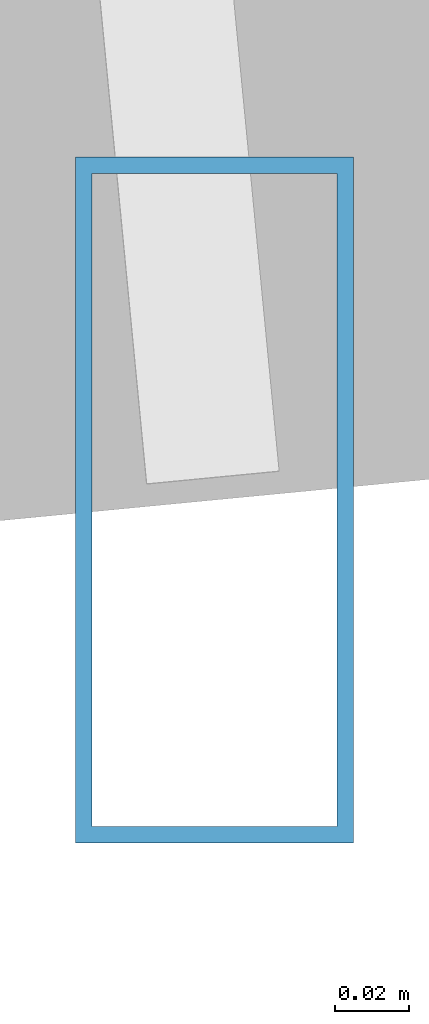
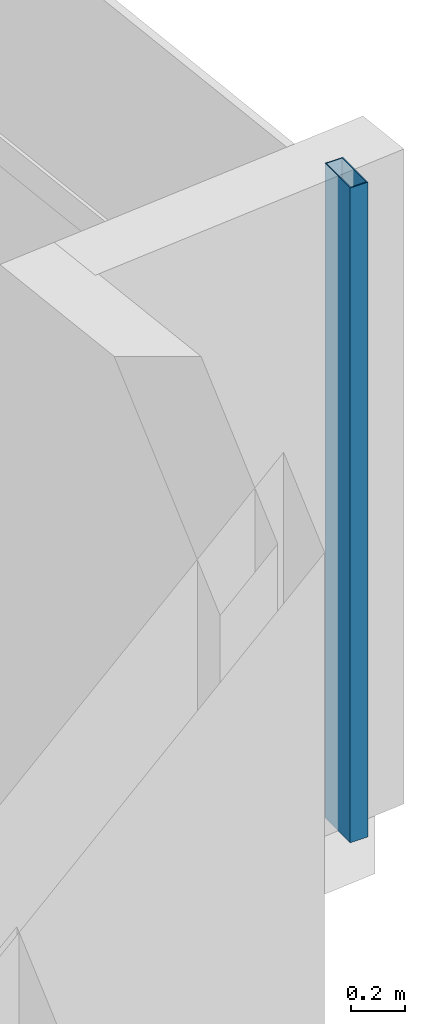
# One storey, part 14 of 27: 1 member, 1 element without a shape of its own.
"""IFC4 building model written with IfcOpenShell, lengths in metres."""

import ifcopenshell
import ifcopenshell.guid

model = None  # the IFC model being written
_history = None  # IfcOwnerHistory: only IFC2X3 demands one
_inside = {}  # id of a spatial element -> (the spatial element, [elements in it])
_under = {}  # id of a project, library or spatial element -> (it, [spatial elements below it])
_declared = {}  # id of a project -> (the project, [libraries it declares])
_typed = {}  # id of a type object -> (the type object, [elements of that type])
_made_of = {}  # id of a material, layer set ... -> (it, [elements and type objects made of it])


def new_model(schema):
    """Start an empty IFC model of exactly this schema.

    Asked for "IFC4X3", IfcOpenShell would pick the latest addendum, in which some entities
    have other attributes; the version numbers below select the first issue.
    IFC2X3 requires an IfcOwnerHistory on every rooted entity: one is made here for all.
    """
    global model, _history
    if schema == "IFC4X3":
        model = ifcopenshell.file(schema_version=(4, 3, 0, 0))
    else:
        model = ifcopenshell.file(schema=schema)
    _inside.clear()
    _under.clear()
    _declared.clear()
    _typed.clear()
    _made_of.clear()
    _history = None
    if model.schema == "IFC2X3":
        org = make("IfcOrganization", Name="unknown")
        user = make(
            "IfcPersonAndOrganization",
            ThePerson=make("IfcPerson", FamilyName="unknown"),
            TheOrganization=org,
        )
        app = make(
            "IfcApplication",
            ApplicationDeveloper=org,
            Version="unknown",
            ApplicationFullName="unknown",
            ApplicationIdentifier="unknown",
        )
        _history = make(
            "IfcOwnerHistory",
            OwningUser=user,
            OwningApplication=app,
            ChangeAction="ADDED",
            CreationDate=0,
        )
    return model


def make(cls, **values):
    """One entity of the class cls with the attributes given. An attribute that is None is left unset."""
    return model.create_entity(
        cls, **{name: value for name, value in values.items() if value is not None}
    )


def rooted(cls, **values):
    """An entity with a GlobalId (a new one), such as an element, a storey or a relation."""
    return make(cls, GlobalId=ifcopenshell.guid.new(), OwnerHistory=_history, **values)


def si_unit(unit_type, name, prefix=None):
    """IfcSIUnit, for example si_unit("LENGTHUNIT", "METRE", prefix="MILLI")."""
    return make("IfcSIUnit", UnitType=unit_type, Prefix=prefix, Name=name)


def assignment(units):
    """IfcUnitAssignment: the units of a project."""
    return None if units is None else make("IfcUnitAssignment", Units=units)


def point(xyz):
    """IfcCartesianPoint."""
    return None if xyz is None else make("IfcCartesianPoint", Coordinates=xyz)


def direction(xyz):
    """IfcDirection."""
    return None if xyz is None else make("IfcDirection", DirectionRatios=xyz)


def frame(location, z_axis=None, x_axis=None):
    """IfcAxis2Placement3D, a coordinate frame: its origin and axes. An axis left out is left unset."""
    return make(
        "IfcAxis2Placement3D",
        Location=point(location),
        Axis=direction(z_axis),
        RefDirection=direction(x_axis),
    )


def frame_2d(location, x_axis=None):
    """IfcAxis2Placement2D, a coordinate frame in the plane: its origin and x axis."""
    return make(
        "IfcAxis2Placement2D", Location=point(location), RefDirection=direction(x_axis)
    )


def origin():
    """The frame at (0, 0, 0) with its axes left unset."""
    return frame((0.0, 0.0, 0.0))


def origin_2d():
    """The frame at (0, 0) in the plane with its x axis left unset."""
    return frame_2d((0.0, 0.0))


def place(relative_to, where):
    """IfcLocalPlacement: puts the frame where relative to a parent placement (None: the world)."""
    return make(
        "IfcLocalPlacement", PlacementRelTo=relative_to, RelativePlacement=where
    )


def context(
    kind, dimensions, precision=None, world=None, true_north=None, identifier=None
):
    """IfcGeometricRepresentationContext, for example the 3D "Model" context."""
    return make(
        "IfcGeometricRepresentationContext",
        ContextIdentifier=identifier,
        ContextType=kind,
        CoordinateSpaceDimension=dimensions,
        Precision=precision,
        WorldCoordinateSystem=world,
        TrueNorth=true_north,
    )


def subcontext(parent, identifier, kind, view, scale=None):
    """IfcGeometricRepresentationSubContext, for example "Body" below "Model"."""
    return make(
        "IfcGeometricRepresentationSubContext",
        ContextIdentifier=identifier,
        ContextType=kind,
        ParentContext=parent,
        TargetScale=scale,
        TargetView=view,
    )


def project(units=None, contexts=None):
    """IfcProject with its units and contexts."""
    return rooted(
        "IfcProject",
        Name="project",
        RepresentationContexts=contexts,
        UnitsInContext=assignment(units),
    )


def spatial(cls, under=None, at=None, **own):
    """A site, building, storey or space (cls), placed at a placement, below another one or the project."""
    s = rooted(cls, ObjectPlacement=at, **own)
    if under is not None:
        _under.setdefault(under.id(), (under, []))[1].append(s)
    return s


def profile(cls, at=None, kind="AREA", **sizes):
    """A parametric profile (cls). Its sizes go by their IFC names, for example OverallWidth=200.0."""
    return make(cls, ProfileType=kind, Position=at, **sizes)


def hollow_rectangle(**sizes):
    """IfcRectangleHollowProfileDef."""
    return profile("IfcRectangleHollowProfileDef", **sizes)


def extrude(swept, where, along, depth):
    """IfcExtrudedAreaSolid: the profile swept, set in the frame where, extruded along a direction by depth."""
    return make(
        "IfcExtrudedAreaSolid",
        SweptArea=swept,
        Position=where,
        ExtrudedDirection=direction(along),
        Depth=depth,
    )


def shape(context_of_items, identifier, shape_type, items):
    """IfcShapeRepresentation: the items that make up one representation, for example the "Body"."""
    return make(
        "IfcShapeRepresentation",
        ContextOfItems=context_of_items,
        RepresentationIdentifier=identifier,
        RepresentationType=shape_type,
        Items=items,
    )


def source(mapping_origin, context_of_items, identifier, shape_type, items):
    """IfcRepresentationMap: a shape defined once, which mapped items show again and again."""
    return make(
        "IfcRepresentationMap",
        MappingOrigin=mapping_origin,
        MappedRepresentation=shape(context_of_items, identifier, shape_type, items),
    )


def transform(
    local_origin,
    x_axis=None,
    y_axis=None,
    z_axis=None,
    scale=None,
    scale2=None,
    scale3=None,
    uniform=True,
):
    """IfcCartesianTransformationOperator3D, or its non-uniform kind. x_axis, y_axis, z_axis: its Axis1, 2, 3."""
    if uniform:
        return make(
            "IfcCartesianTransformationOperator3D",
            Axis1=direction(x_axis),
            Axis2=direction(y_axis),
            LocalOrigin=point(local_origin),
            Scale=scale,
            Axis3=direction(z_axis),
        )
    return make(
        "IfcCartesianTransformationOperator3DnonUniform",
        Axis1=direction(x_axis),
        Axis2=direction(y_axis),
        LocalOrigin=point(local_origin),
        Scale=scale,
        Axis3=direction(z_axis),
        Scale2=scale2,
        Scale3=scale3,
    )


def mapped(mapping_source, mapping_target):
    """IfcMappedItem: shows the shape of a source again, moved by a transform."""
    return make(
        "IfcMappedItem", MappingSource=mapping_source, MappingTarget=mapping_target
    )


def material(Name=None, Category=None):
    """IfcMaterial."""
    return make("IfcMaterial", Name=Name, Category=Category)


def material_profile(
    of_material, cross_section, Name=None, Category=None, Priority=None
):
    """IfcMaterialProfile: a cross section and its material."""
    return make(
        "IfcMaterialProfile",
        Name=Name,
        Material=of_material,
        Profile=cross_section,
        Priority=Priority,
        Category=Category,
    )


def profile_set(profiles, Name=None, composite=None):
    """IfcMaterialProfileSet."""
    return make(
        "IfcMaterialProfileSet",
        Name=Name,
        MaterialProfiles=profiles,
        CompositeProfile=composite,
    )


def made_of(thing, what):
    """Note that an element or type object is made of a material, layer set ...; save() writes the relation."""
    if what is not None:
        _made_of.setdefault(what.id(), (what, []))[1].append(thing)
    return thing


def type_object(cls, material=None, **own):
    """A type object (cls), such as IfcWallType, which elements share."""
    return made_of(rooted(cls, **own), material)


def type_shapes(of_type, sources):
    """Give a type object the sources (RepresentationMaps) that its elements show as mapped items."""
    of_type.RepresentationMaps = sources


def element(
    cls,
    number,
    at=None,
    inside=None,
    cuts=None,
    type_object=None,
    material=None,
    context=None,
    identifier="Body",
    shape_type=None,
    held_by="IfcProductDefinitionShape",
    body=None,
    shapes=None,
    **own,
):
    """One element of the class cls, such as IfcWall. Its Tag is "e" and its number.

    at: its placement. inside: the storey or other place that contains it. cuts: it is an
    opening in that element (IfcRelVoidsElement). A single representation is given by context,
    identifier, shape_type and body (its items); several are given by shapes. held_by: the class
    of the entity that holds the representations. save() writes the other relations.
    """
    e = rooted(cls, Tag="e%d" % number, ObjectPlacement=at, **own)
    if body is not None:
        shapes = [shape(context, identifier, shape_type, body)]
    if shapes is not None:
        e.Representation = make(held_by, Representations=shapes)
    if inside is not None:
        _inside.setdefault(inside.id(), (inside, []))[1].append(e)
    if cuts is not None:
        rooted(
            "IfcRelVoidsElement", RelatingBuildingElement=cuts, RelatedOpeningElement=e
        )
    if type_object is not None:
        _typed.setdefault(type_object.id(), (type_object, []))[1].append(e)
    return made_of(e, material)


def aggregate(whole, parts):
    """IfcRelAggregates: a whole, such as a stair, and the parts it consists of."""
    return rooted("IfcRelAggregates", RelatingObject=whole, RelatedObjects=parts)


def save(model, path):
    """Write the relations noted so far, then the file.

    IfcRelAggregates (storeys below a building ...), IfcRelContainedInSpatialStructure (elements
    in a storey), IfcRelDefinesByType, IfcRelAssociatesMaterial and IfcRelDeclares: one each for
    every whole, place, type object, material and project.
    """
    for whole, parts in _under.values():
        aggregate(whole, parts)
    for where, things in _inside.values():
        rooted(
            "IfcRelContainedInSpatialStructure",
            RelatedElements=things,
            RelatingStructure=where,
        )
    for kind, things in _typed.values():
        rooted("IfcRelDefinesByType", RelatedObjects=things, RelatingType=kind)
    for what, things in _made_of.values():
        rooted("IfcRelAssociatesMaterial", RelatedObjects=things, RelatingMaterial=what)
    for by, libraries in _declared.values():
        rooted("IfcRelDeclares", RelatingContext=by, RelatedDefinitions=libraries)
    model.write(path)


model = new_model("IFC4")

# Units and contexts
model_context = context("Model", 3, precision=1e-05, world=origin(), true_north=direction((0.0, 1.0)))
body_context = subcontext(model_context, "Body", "Model", "MODEL_VIEW")
ifc_project = project(units=[si_unit("LENGTHUNIT", "METRE"), si_unit("AREAUNIT", "SQUARE_METRE"), si_unit("VOLUMEUNIT", "CUBIC_METRE"), si_unit("PLANEANGLEUNIT", "RADIAN"), si_unit("MASSUNIT", "GRAM", prefix="KILO")], contexts=[model_context])

# Site, building, storey
site_placement = place(None, origin())
site = spatial("IfcSite", under=ifc_project, at=site_placement, CompositionType="ELEMENT")
building_placement = place(site_placement, origin())
building = spatial("IfcBuilding", under=site, at=building_placement, Name="Astriad Promenade Condominiums", CompositionType="ELEMENT")
storey_placement = place(building_placement, frame((0.0, 0.0, 87.39990234375)))
storey = spatial("IfcBuildingStorey", under=building, at=storey_placement, Name="L24", CompositionType="ELEMENT", Elevation=87.39990234375)

# Curtain wall, member
ifc_material_1 = material(Name="Anodised aluminium Black Dark Glass Unitised", Category="aluminium")
curtain_wall_type = type_object("IfcCurtainWallType", Name="CW-B2-DARK", PredefinedType="USERDEFINED", material=ifc_material_1)
curtain_wall_placement = place(storey_placement, origin())
curtain_wall = element("IfcCurtainWall", 1, at=curtain_wall_placement, inside=storey, type_object=curtain_wall_type, Name="CW-L24-E", ObjectType="UNITISED_CURTAIN_WALL", PredefinedType="USERDEFINED")
ifc_material_2 = material(Name="Anodised aluminium 6063-T6 Black", Category="aluminium")
ifc_material_profile = material_profile(ifc_material_2, hollow_rectangle(XDim=0.074951171875, YDim=0.18505859375, WallThickness=0.00439453125, at=origin_2d()), Name="ALU-MUL-75X185")
ifc_profile_set = profile_set([ifc_material_profile], Name="Anodised aluminium 6063-T6 Black")
member_type = type_object("IfcMemberType", Name="MUL-ALU-MUL-75X185", PredefinedType="MULLION", material=ifc_profile_set)
shared_shape = source(origin(), body_context, "Body", "SweptSolid", [
    extrude(hollow_rectangle(XDim=0.074951171875, YDim=0.18505859375, WallThickness=0.00439453125, at=origin_2d()), origin(), (0.0, 0.0, 1.0), 2.940185546875),
])
type_shapes(member_type, [shared_shape])
member_placement = place(storey_placement, frame((69.4521484375, 11.67822265625, 0.0), z_axis=(0.0, 0.0, 1.0), x_axis=(1.0, 0.0, 0.0)))
member = element("IfcMember", 2, at=member_placement, type_object=member_type, Name="CW-L24-E-MUL-03", PredefinedType="MULLION", context=body_context, shape_type="MappedRepresentation", body=[
    mapped(shared_shape, transform((0.0, 0.0, 0.0), scale=1.0)),
])
aggregate(curtain_wall, [member])

save(model, "model.ifc")
